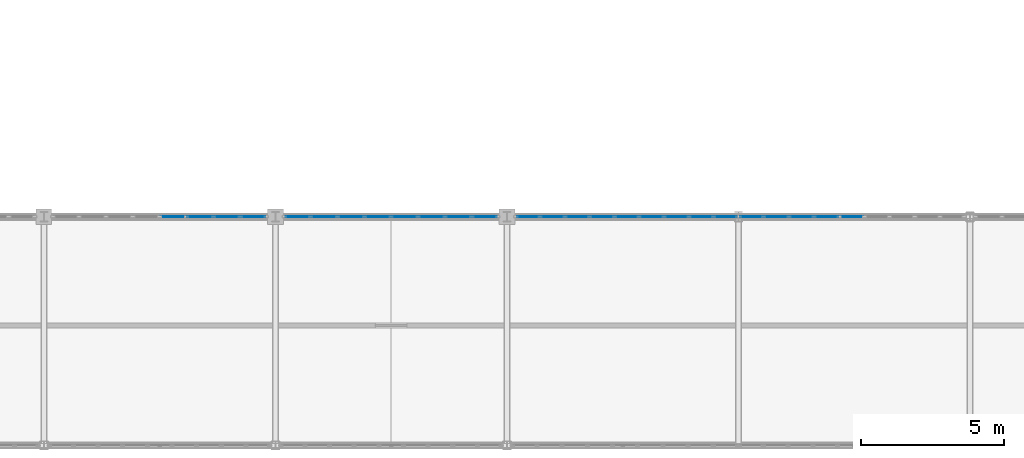
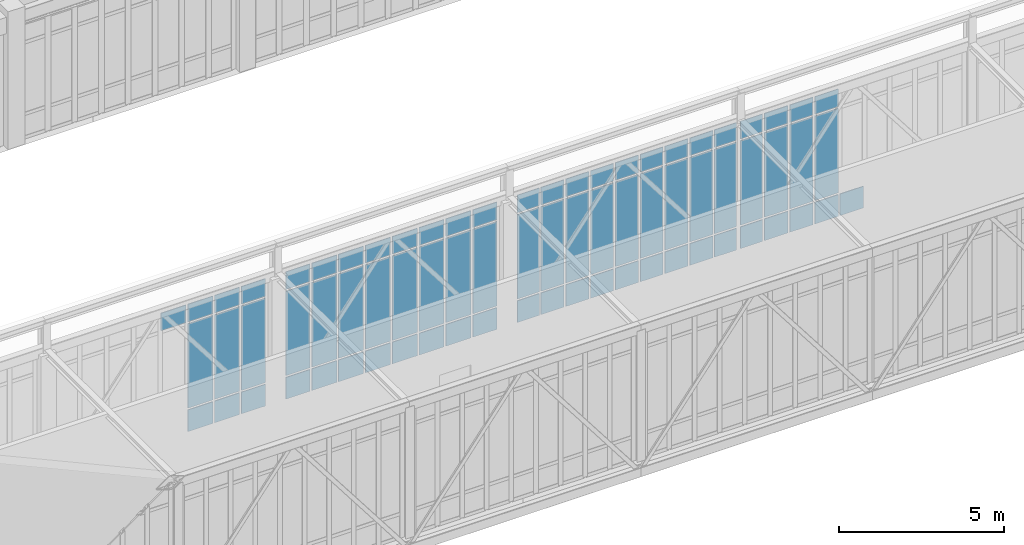
# One storey, part 77 of 107: 74 plates, 4 elements without a shape of their own.
"""IFC4 building model written with IfcOpenShell, lengths in metres."""

from ifc_helpers import new_model, si_unit, direction, frame, origin, origin_2d, place, context, subcontext, project, spatial, rectangle, extrude, material, layer, layer_set, type_object, element, aggregate, save


model = new_model("IFC4")

# Units and contexts
model_context = context("Model", 3, precision=1e-05, world=origin(), true_north=direction((0.0, 1.0)))
body_context = subcontext(model_context, "Body", "Model", "MODEL_VIEW")
ifc_project = project(units=[si_unit("LENGTHUNIT", "METRE"), si_unit("AREAUNIT", "SQUARE_METRE"), si_unit("VOLUMEUNIT", "CUBIC_METRE"), si_unit("PLANEANGLEUNIT", "RADIAN"), si_unit("MASSUNIT", "GRAM", prefix="KILO")], contexts=[model_context])

# Site, building, storey
site_placement = place(None, origin())
site = spatial("IfcSite", under=ifc_project, at=site_placement, CompositionType="ELEMENT")
building_placement = place(site_placement, origin())
building = spatial("IfcBuilding", under=site, at=building_placement, Name="Tarnveldt Square Police Headquarters", CompositionType="ELEMENT")
storey_placement = place(building_placement, frame((0.0, 0.0, 14.699951171875)))
storey = spatial("IfcBuildingStorey", under=building, at=storey_placement, Name="L03", CompositionType="ELEMENT", Elevation=14.699951171875)

# Curtain wall, plates
ifc_material = material(Name="Triple-glazed low-e laminated vision glass", Category="glass")
curtain_wall_type_1 = type_object("IfcCurtainWallType", Name="CW-SB-752x484", PredefinedType="USERDEFINED", material=ifc_material)
curtain_wall_1_placement = place(storey_placement, origin())
curtain_wall_1 = element("IfcCurtainWall", 1, at=curtain_wall_1_placement, inside=storey, type_object=curtain_wall_type_1, Name="L03 Curtain Wall CW-L03-161", ObjectType="GLAZED CURTAIN WALL", PredefinedType="USERDEFINED")
ifc_layer = layer(ifc_material, 0.028076171875)
ifc_layer_set = layer_set([ifc_layer], Name="Triple-glazed low-e laminated vision glass")
plate_type = type_object("IfcPlateType", Name="CWP-VIS-28", PredefinedType="CURTAIN_PANEL", material=ifc_layer_set)
plate_1_placement = place(storey_placement, frame((69.320068359375, 80.0, 4.12255859375), z_axis=(0.0, 0.0, 1.0), x_axis=(1.0, 0.0, 0.0)))
plate_1 = element("IfcPlate", 2, at=plate_1_placement, type_object=plate_type, Name="CW-SB95 panel 5.3", PredefinedType="CURTAIN_PANEL", context=body_context, shape_type="SweptSolid", body=[
    extrude(rectangle(XDim=0.875, YDim=0.028076171875, at=origin_2d()), origin(), (0.0, 0.0, 1.0), 0.652587890625),
])
plate_2_placement = place(storey_placement, frame((70.260009765625, 80.0, 0.06494140625), z_axis=(0.0, 0.0, 1.0), x_axis=(1.0, 0.0, 0.0)))
plate_2 = element("IfcPlate", 3, at=plate_2_placement, type_object=plate_type, Name="CW-SB95 panel 6.1", PredefinedType="CURTAIN_PANEL", context=body_context, shape_type="SweptSolid", body=[
    extrude(rectangle(XDim=0.875, YDim=0.028076171875, at=origin_2d()), origin(), (0.0, 0.0, 1.0), 0.802490234375),
])
plate_3_placement = place(storey_placement, frame((70.260009765625, 80.0, 0.9326171875), z_axis=(0.0, 0.0, 1.0), x_axis=(1.0, 0.0, 0.0)))
plate_3 = element("IfcPlate", 4, at=plate_3_placement, type_object=plate_type, Name="CW-SB95 panel 6.2", PredefinedType="CURTAIN_PANEL", context=body_context, shape_type="SweptSolid", body=[
    extrude(rectangle(XDim=0.875, YDim=0.028076171875, at=origin_2d()), origin(), (0.0, 0.0, 1.0), 3.125),
])
plate_4_placement = place(storey_placement, frame((70.260009765625, 80.0, 4.12255859375), z_axis=(0.0, 0.0, 1.0), x_axis=(1.0, 0.0, 0.0)))
plate_4 = element("IfcPlate", 5, at=plate_4_placement, type_object=plate_type, Name="CW-SB95 panel 6.3", PredefinedType="CURTAIN_PANEL", context=body_context, shape_type="SweptSolid", body=[
    extrude(rectangle(XDim=0.875, YDim=0.028076171875, at=origin_2d()), origin(), (0.0, 0.0, 1.0), 0.652587890625),
])
plate_5_placement = place(storey_placement, frame((71.199951171875, 80.0, 0.06494140625), z_axis=(0.0, 0.0, 1.0), x_axis=(1.0, 0.0, 0.0)))
plate_5 = element("IfcPlate", 6, at=plate_5_placement, type_object=plate_type, Name="CW-SB95 panel 7.1", PredefinedType="CURTAIN_PANEL", context=body_context, shape_type="SweptSolid", body=[
    extrude(rectangle(XDim=0.875, YDim=0.028076171875, at=origin_2d()), origin(), (0.0, 0.0, 1.0), 0.802490234375),
])
plate_6_placement = place(storey_placement, frame((71.199951171875, 80.0, 0.9326171875), z_axis=(0.0, 0.0, 1.0), x_axis=(1.0, 0.0, 0.0)))
plate_6 = element("IfcPlate", 7, at=plate_6_placement, type_object=plate_type, Name="CW-SB95 panel 7.2", PredefinedType="CURTAIN_PANEL", context=body_context, shape_type="SweptSolid", body=[
    extrude(rectangle(XDim=0.875, YDim=0.028076171875, at=origin_2d()), origin(), (0.0, 0.0, 1.0), 3.125),
])
plate_7_placement = place(storey_placement, frame((71.199951171875, 80.0, 4.12255859375), z_axis=(0.0, 0.0, 1.0), x_axis=(1.0, 0.0, 0.0)))
plate_7 = element("IfcPlate", 8, at=plate_7_placement, type_object=plate_type, Name="CW-SB95 panel 7.3", PredefinedType="CURTAIN_PANEL", context=body_context, shape_type="SweptSolid", body=[
    extrude(rectangle(XDim=0.875, YDim=0.028076171875, at=origin_2d()), origin(), (0.0, 0.0, 1.0), 0.652587890625),
])
plate_8_placement = place(storey_placement, frame((72.123779296875, 80.0, 0.06494140625), z_axis=(0.0, 0.0, 1.0), x_axis=(1.0, 0.0, 0.0)))
plate_8 = element("IfcPlate", 9, at=plate_8_placement, type_object=plate_type, Name="CW-SB95 panel 8.1", PredefinedType="CURTAIN_PANEL", context=body_context, shape_type="SweptSolid", body=[
    extrude(rectangle(XDim=0.842529296875, YDim=0.028076171875, at=origin_2d()), origin(), (0.0, 0.0, 1.0), 0.802490234375),
])
plate_9_placement = place(storey_placement, frame((72.123779296875, 80.0, 0.9326171875), z_axis=(0.0, 0.0, 1.0), x_axis=(1.0, 0.0, 0.0)))
plate_9 = element("IfcPlate", 10, at=plate_9_placement, type_object=plate_type, Name="CW-SB95 panel 8.2", PredefinedType="CURTAIN_PANEL", context=body_context, shape_type="SweptSolid", body=[
    extrude(rectangle(XDim=0.842529296875, YDim=0.028076171875, at=origin_2d()), origin(), (0.0, 0.0, 1.0), 3.125),
])
plate_10_placement = place(storey_placement, frame((72.123779296875, 80.0, 4.12255859375), z_axis=(0.0, 0.0, 1.0), x_axis=(1.0, 0.0, 0.0)))
plate_10 = element("IfcPlate", 11, at=plate_10_placement, type_object=plate_type, Name="CW-SB95 panel 8.3", PredefinedType="CURTAIN_PANEL", context=body_context, shape_type="SweptSolid", body=[
    extrude(rectangle(XDim=0.842529296875, YDim=0.028076171875, at=origin_2d()), origin(), (0.0, 0.0, 1.0), 0.652587890625),
])
aggregate(curtain_wall_1, [plate_1, plate_2, plate_3, plate_4, plate_5, plate_6, plate_7, plate_8, plate_9, plate_10])

curtain_wall_2_placement = place(storey_placement, origin())
curtain_wall_2 = element("IfcCurtainWall", 12, at=curtain_wall_2_placement, inside=storey, type_object=curtain_wall_type_1, Name="L03 Curtain Wall CW-L03-162", ObjectType="GLAZED CURTAIN WALL", PredefinedType="USERDEFINED")
plate_11_placement = place(storey_placement, frame((73.67626953125, 80.0, 0.06494140625), z_axis=(0.0, 0.0, 1.0), x_axis=(1.0, 0.0, 0.0)))
plate_11 = element("IfcPlate", 13, at=plate_11_placement, type_object=plate_type, Name="CW-SB95 panel 1.1", PredefinedType="CURTAIN_PANEL", context=body_context, shape_type="SweptSolid", body=[
    extrude(rectangle(XDim=0.842529296875, YDim=0.028076171875, at=origin_2d()), origin(), (0.0, 0.0, 1.0), 0.802490234375),
])
plate_12_placement = place(storey_placement, frame((73.67626953125, 80.0, 0.9326171875), z_axis=(0.0, 0.0, 1.0), x_axis=(1.0, 0.0, 0.0)))
plate_12 = element("IfcPlate", 14, at=plate_12_placement, type_object=plate_type, Name="CW-SB95 panel 1.2", PredefinedType="CURTAIN_PANEL", context=body_context, shape_type="SweptSolid", body=[
    extrude(rectangle(XDim=0.842529296875, YDim=0.028076171875, at=origin_2d()), origin(), (0.0, 0.0, 1.0), 3.125),
])
plate_13_placement = place(storey_placement, frame((73.67626953125, 80.0, 4.12255859375), z_axis=(0.0, 0.0, 1.0), x_axis=(1.0, 0.0, 0.0)))
plate_13 = element("IfcPlate", 15, at=plate_13_placement, type_object=plate_type, Name="CW-SB95 panel 1.3", PredefinedType="CURTAIN_PANEL", context=body_context, shape_type="SweptSolid", body=[
    extrude(rectangle(XDim=0.842529296875, YDim=0.028076171875, at=origin_2d()), origin(), (0.0, 0.0, 1.0), 0.652587890625),
])
plate_14_placement = place(storey_placement, frame((74.60009765625, 80.0, 0.06494140625), z_axis=(0.0, 0.0, 1.0), x_axis=(1.0, 0.0, 0.0)))
plate_14 = element("IfcPlate", 16, at=plate_14_placement, type_object=plate_type, Name="CW-SB95 panel 2.1", PredefinedType="CURTAIN_PANEL", context=body_context, shape_type="SweptSolid", body=[
    extrude(rectangle(XDim=0.875, YDim=0.028076171875, at=origin_2d()), origin(), (0.0, 0.0, 1.0), 0.802490234375),
])
plate_15_placement = place(storey_placement, frame((74.60009765625, 80.0, 0.9326171875), z_axis=(0.0, 0.0, 1.0), x_axis=(1.0, 0.0, 0.0)))
plate_15 = element("IfcPlate", 17, at=plate_15_placement, type_object=plate_type, Name="CW-SB95 panel 2.2", PredefinedType="CURTAIN_PANEL", context=body_context, shape_type="SweptSolid", body=[
    extrude(rectangle(XDim=0.875, YDim=0.028076171875, at=origin_2d()), origin(), (0.0, 0.0, 1.0), 3.125),
])
plate_16_placement = place(storey_placement, frame((74.60009765625, 80.0, 4.12255859375), z_axis=(0.0, 0.0, 1.0), x_axis=(1.0, 0.0, 0.0)))
plate_16 = element("IfcPlate", 18, at=plate_16_placement, type_object=plate_type, Name="CW-SB95 panel 2.3", PredefinedType="CURTAIN_PANEL", context=body_context, shape_type="SweptSolid", body=[
    extrude(rectangle(XDim=0.875, YDim=0.028076171875, at=origin_2d()), origin(), (0.0, 0.0, 1.0), 0.652587890625),
])
plate_17_placement = place(storey_placement, frame((75.5400390625, 80.0, 0.06494140625), z_axis=(0.0, 0.0, 1.0), x_axis=(1.0, 0.0, 0.0)))
plate_17 = element("IfcPlate", 19, at=plate_17_placement, type_object=plate_type, Name="CW-SB95 panel 3.1", PredefinedType="CURTAIN_PANEL", context=body_context, shape_type="SweptSolid", body=[
    extrude(rectangle(XDim=0.875, YDim=0.028076171875, at=origin_2d()), origin(), (0.0, 0.0, 1.0), 0.802490234375),
])
plate_18_placement = place(storey_placement, frame((75.5400390625, 80.0, 0.9326171875), z_axis=(0.0, 0.0, 1.0), x_axis=(1.0, 0.0, 0.0)))
plate_18 = element("IfcPlate", 20, at=plate_18_placement, type_object=plate_type, Name="CW-SB95 panel 3.2", PredefinedType="CURTAIN_PANEL", context=body_context, shape_type="SweptSolid", body=[
    extrude(rectangle(XDim=0.875, YDim=0.028076171875, at=origin_2d()), origin(), (0.0, 0.0, 1.0), 3.125),
])
plate_19_placement = place(storey_placement, frame((75.5400390625, 80.0, 4.12255859375), z_axis=(0.0, 0.0, 1.0), x_axis=(1.0, 0.0, 0.0)))
plate_19 = element("IfcPlate", 21, at=plate_19_placement, type_object=plate_type, Name="CW-SB95 panel 3.3", PredefinedType="CURTAIN_PANEL", context=body_context, shape_type="SweptSolid", body=[
    extrude(rectangle(XDim=0.875, YDim=0.028076171875, at=origin_2d()), origin(), (0.0, 0.0, 1.0), 0.652587890625),
])
plate_20_placement = place(storey_placement, frame((76.47998046875, 80.0, 0.06494140625), z_axis=(0.0, 0.0, 1.0), x_axis=(1.0, 0.0, 0.0)))
plate_20 = element("IfcPlate", 22, at=plate_20_placement, type_object=plate_type, Name="CW-SB95 panel 4.1", PredefinedType="CURTAIN_PANEL", context=body_context, shape_type="SweptSolid", body=[
    extrude(rectangle(XDim=0.875, YDim=0.028076171875, at=origin_2d()), origin(), (0.0, 0.0, 1.0), 0.802490234375),
])
plate_21_placement = place(storey_placement, frame((76.47998046875, 80.0, 0.9326171875), z_axis=(0.0, 0.0, 1.0), x_axis=(1.0, 0.0, 0.0)))
plate_21 = element("IfcPlate", 23, at=plate_21_placement, type_object=plate_type, Name="CW-SB95 panel 4.2", PredefinedType="CURTAIN_PANEL", context=body_context, shape_type="SweptSolid", body=[
    extrude(rectangle(XDim=0.875, YDim=0.028076171875, at=origin_2d()), origin(), (0.0, 0.0, 1.0), 3.125),
])
plate_22_placement = place(storey_placement, frame((76.47998046875, 80.0, 4.12255859375), z_axis=(0.0, 0.0, 1.0), x_axis=(1.0, 0.0, 0.0)))
plate_22 = element("IfcPlate", 24, at=plate_22_placement, type_object=plate_type, Name="CW-SB95 panel 4.3", PredefinedType="CURTAIN_PANEL", context=body_context, shape_type="SweptSolid", body=[
    extrude(rectangle(XDim=0.875, YDim=0.028076171875, at=origin_2d()), origin(), (0.0, 0.0, 1.0), 0.652587890625),
])
plate_23_placement = place(storey_placement, frame((77.419921875, 80.0, 0.06494140625), z_axis=(0.0, 0.0, 1.0), x_axis=(1.0, 0.0, 0.0)))
plate_23 = element("IfcPlate", 25, at=plate_23_placement, type_object=plate_type, Name="CW-SB95 panel 5.1", PredefinedType="CURTAIN_PANEL", context=body_context, shape_type="SweptSolid", body=[
    extrude(rectangle(XDim=0.875, YDim=0.028076171875, at=origin_2d()), origin(), (0.0, 0.0, 1.0), 0.802490234375),
])
plate_24_placement = place(storey_placement, frame((77.419921875, 80.0, 0.9326171875), z_axis=(0.0, 0.0, 1.0), x_axis=(1.0, 0.0, 0.0)))
plate_24 = element("IfcPlate", 26, at=plate_24_placement, type_object=plate_type, Name="CW-SB95 panel 5.2", PredefinedType="CURTAIN_PANEL", context=body_context, shape_type="SweptSolid", body=[
    extrude(rectangle(XDim=0.875, YDim=0.028076171875, at=origin_2d()), origin(), (0.0, 0.0, 1.0), 3.125),
])
plate_25_placement = place(storey_placement, frame((77.419921875, 80.0, 4.12255859375), z_axis=(0.0, 0.0, 1.0), x_axis=(1.0, 0.0, 0.0)))
plate_25 = element("IfcPlate", 27, at=plate_25_placement, type_object=plate_type, Name="CW-SB95 panel 5.3", PredefinedType="CURTAIN_PANEL", context=body_context, shape_type="SweptSolid", body=[
    extrude(rectangle(XDim=0.875, YDim=0.028076171875, at=origin_2d()), origin(), (0.0, 0.0, 1.0), 0.652587890625),
])
plate_26_placement = place(storey_placement, frame((78.360107421875, 80.0, 0.06494140625), z_axis=(0.0, 0.0, 1.0), x_axis=(1.0, 0.0, 0.0)))
plate_26 = element("IfcPlate", 28, at=plate_26_placement, type_object=plate_type, Name="CW-SB95 panel 6.1", PredefinedType="CURTAIN_PANEL", context=body_context, shape_type="SweptSolid", body=[
    extrude(rectangle(XDim=0.875, YDim=0.028076171875, at=origin_2d()), origin(), (0.0, 0.0, 1.0), 0.802490234375),
])
plate_27_placement = place(storey_placement, frame((78.360107421875, 80.0, 0.9326171875), z_axis=(0.0, 0.0, 1.0), x_axis=(1.0, 0.0, 0.0)))
plate_27 = element("IfcPlate", 29, at=plate_27_placement, type_object=plate_type, Name="CW-SB95 panel 6.2", PredefinedType="CURTAIN_PANEL", context=body_context, shape_type="SweptSolid", body=[
    extrude(rectangle(XDim=0.875, YDim=0.028076171875, at=origin_2d()), origin(), (0.0, 0.0, 1.0), 3.125),
])
plate_28_placement = place(storey_placement, frame((78.360107421875, 80.0, 4.12255859375), z_axis=(0.0, 0.0, 1.0), x_axis=(1.0, 0.0, 0.0)))
plate_28 = element("IfcPlate", 30, at=plate_28_placement, type_object=plate_type, Name="CW-SB95 panel 6.3", PredefinedType="CURTAIN_PANEL", context=body_context, shape_type="SweptSolid", body=[
    extrude(rectangle(XDim=0.875, YDim=0.028076171875, at=origin_2d()), origin(), (0.0, 0.0, 1.0), 0.652587890625),
])
plate_29_placement = place(storey_placement, frame((79.300048828125, 80.0, 0.06494140625), z_axis=(0.0, 0.0, 1.0), x_axis=(1.0, 0.0, 0.0)))
plate_29 = element("IfcPlate", 31, at=plate_29_placement, type_object=plate_type, Name="CW-SB95 panel 7.1", PredefinedType="CURTAIN_PANEL", context=body_context, shape_type="SweptSolid", body=[
    extrude(rectangle(XDim=0.875, YDim=0.028076171875, at=origin_2d()), origin(), (0.0, 0.0, 1.0), 0.802490234375),
])
plate_30_placement = place(storey_placement, frame((79.300048828125, 80.0, 0.9326171875), z_axis=(0.0, 0.0, 1.0), x_axis=(1.0, 0.0, 0.0)))
plate_30 = element("IfcPlate", 32, at=plate_30_placement, type_object=plate_type, Name="CW-SB95 panel 7.2", PredefinedType="CURTAIN_PANEL", context=body_context, shape_type="SweptSolid", body=[
    extrude(rectangle(XDim=0.875, YDim=0.028076171875, at=origin_2d()), origin(), (0.0, 0.0, 1.0), 3.125),
])
plate_31_placement = place(storey_placement, frame((79.300048828125, 80.0, 4.12255859375), z_axis=(0.0, 0.0, 1.0), x_axis=(1.0, 0.0, 0.0)))
plate_31 = element("IfcPlate", 33, at=plate_31_placement, type_object=plate_type, Name="CW-SB95 panel 7.3", PredefinedType="CURTAIN_PANEL", context=body_context, shape_type="SweptSolid", body=[
    extrude(rectangle(XDim=0.875, YDim=0.028076171875, at=origin_2d()), origin(), (0.0, 0.0, 1.0), 0.652587890625),
])
plate_32_placement = place(storey_placement, frame((80.2236328125, 80.0, 0.06494140625), z_axis=(0.0, 0.0, 1.0), x_axis=(1.0, 0.0, 0.0)))
plate_32 = element("IfcPlate", 34, at=plate_32_placement, type_object=plate_type, Name="CW-SB95 panel 8.1", PredefinedType="CURTAIN_PANEL", context=body_context, shape_type="SweptSolid", body=[
    extrude(rectangle(XDim=0.842529296875, YDim=0.028076171875, at=origin_2d()), origin(), (0.0, 0.0, 1.0), 0.802490234375),
])
plate_33_placement = place(storey_placement, frame((80.2236328125, 80.0, 0.9326171875), z_axis=(0.0, 0.0, 1.0), x_axis=(1.0, 0.0, 0.0)))
plate_33 = element("IfcPlate", 35, at=plate_33_placement, type_object=plate_type, Name="CW-SB95 panel 8.2", PredefinedType="CURTAIN_PANEL", context=body_context, shape_type="SweptSolid", body=[
    extrude(rectangle(XDim=0.842529296875, YDim=0.028076171875, at=origin_2d()), origin(), (0.0, 0.0, 1.0), 3.125),
])
plate_34_placement = place(storey_placement, frame((80.2236328125, 80.0, 4.12255859375), z_axis=(0.0, 0.0, 1.0), x_axis=(1.0, 0.0, 0.0)))
plate_34 = element("IfcPlate", 36, at=plate_34_placement, type_object=plate_type, Name="CW-SB95 panel 8.3", PredefinedType="CURTAIN_PANEL", context=body_context, shape_type="SweptSolid", body=[
    extrude(rectangle(XDim=0.842529296875, YDim=0.028076171875, at=origin_2d()), origin(), (0.0, 0.0, 1.0), 0.652587890625),
])
aggregate(curtain_wall_2, [plate_11, plate_12, plate_13, plate_14, plate_15, plate_16, plate_17, plate_18, plate_19, plate_20, plate_21, plate_22, plate_23, plate_24, plate_25, plate_26, plate_27, plate_28, plate_29, plate_30, plate_31, plate_32, plate_33, plate_34])

curtain_wall_type_2 = type_object("IfcCurtainWallType", Name="CW-SB-781x484", PredefinedType="USERDEFINED", material=ifc_material)
curtain_wall_3_placement = place(storey_placement, origin())
curtain_wall_3 = element("IfcCurtainWall", 37, at=curtain_wall_3_placement, inside=storey, type_object=curtain_wall_type_2, Name="L03 Curtain Wall CW-L03-163", ObjectType="GLAZED CURTAIN WALL", PredefinedType="USERDEFINED")
plate_35_placement = place(storey_placement, frame((81.740234375, 80.0, 0.06494140625), z_axis=(0.0, 0.0, 1.0), x_axis=(1.0, 0.0, 0.0)))
plate_35 = element("IfcPlate", 38, at=plate_35_placement, type_object=plate_type, Name="CW-SB92 panel 1.1", PredefinedType="CURTAIN_PANEL", context=body_context, shape_type="SweptSolid", body=[
    extrude(rectangle(XDim=0.770263671875, YDim=0.028076171875, at=origin_2d()), origin(), (0.0, 0.0, 1.0), 0.802490234375),
])
plate_36_placement = place(storey_placement, frame((81.740234375, 80.0, 0.9326171875), z_axis=(0.0, 0.0, 1.0), x_axis=(1.0, 0.0, 0.0)))
plate_36 = element("IfcPlate", 39, at=plate_36_placement, type_object=plate_type, Name="CW-SB92 panel 1.2", PredefinedType="CURTAIN_PANEL", context=body_context, shape_type="SweptSolid", body=[
    extrude(rectangle(XDim=0.770263671875, YDim=0.028076171875, at=origin_2d()), origin(), (0.0, 0.0, 1.0), 3.125),
])
plate_37_placement = place(storey_placement, frame((81.740234375, 80.0, 4.12255859375), z_axis=(0.0, 0.0, 1.0), x_axis=(1.0, 0.0, 0.0)))
plate_37 = element("IfcPlate", 40, at=plate_37_placement, type_object=plate_type, Name="CW-SB92 panel 1.3", PredefinedType="CURTAIN_PANEL", context=body_context, shape_type="SweptSolid", body=[
    extrude(rectangle(XDim=0.770263671875, YDim=0.028076171875, at=origin_2d()), origin(), (0.0, 0.0, 1.0), 0.652587890625),
])
plate_38_placement = place(storey_placement, frame((82.591552734375, 80.0, 0.06494140625), z_axis=(0.0, 0.0, 1.0), x_axis=(1.0, 0.0, 0.0)))
plate_38 = element("IfcPlate", 41, at=plate_38_placement, type_object=plate_type, Name="CW-SB92 panel 2.1", PredefinedType="CURTAIN_PANEL", context=body_context, shape_type="SweptSolid", body=[
    extrude(rectangle(XDim=0.802734375, YDim=0.028076171875, at=origin_2d()), origin(), (0.0, 0.0, 1.0), 0.802490234375),
])
plate_39_placement = place(storey_placement, frame((82.591552734375, 80.0, 0.9326171875), z_axis=(0.0, 0.0, 1.0), x_axis=(1.0, 0.0, 0.0)))
plate_39 = element("IfcPlate", 42, at=plate_39_placement, type_object=plate_type, Name="CW-SB92 panel 2.2", PredefinedType="CURTAIN_PANEL", context=body_context, shape_type="SweptSolid", body=[
    extrude(rectangle(XDim=0.802734375, YDim=0.028076171875, at=origin_2d()), origin(), (0.0, 0.0, 1.0), 3.125),
])
plate_40_placement = place(storey_placement, frame((82.591552734375, 80.0, 4.12255859375), z_axis=(0.0, 0.0, 1.0), x_axis=(1.0, 0.0, 0.0)))
plate_40 = element("IfcPlate", 43, at=plate_40_placement, type_object=plate_type, Name="CW-SB92 panel 2.3", PredefinedType="CURTAIN_PANEL", context=body_context, shape_type="SweptSolid", body=[
    extrude(rectangle(XDim=0.802734375, YDim=0.028076171875, at=origin_2d()), origin(), (0.0, 0.0, 1.0), 0.652587890625),
])
plate_41_placement = place(storey_placement, frame((83.45947265625, 80.0, 0.06494140625), z_axis=(0.0, 0.0, 1.0), x_axis=(1.0, 0.0, 0.0)))
plate_41 = element("IfcPlate", 44, at=plate_41_placement, type_object=plate_type, Name="CW-SB92 panel 3.1", PredefinedType="CURTAIN_PANEL", context=body_context, shape_type="SweptSolid", body=[
    extrude(rectangle(XDim=0.802734375, YDim=0.028076171875, at=origin_2d()), origin(), (0.0, 0.0, 1.0), 0.802490234375),
])
plate_42_placement = place(storey_placement, frame((83.45947265625, 80.0, 0.9326171875), z_axis=(0.0, 0.0, 1.0), x_axis=(1.0, 0.0, 0.0)))
plate_42 = element("IfcPlate", 45, at=plate_42_placement, type_object=plate_type, Name="CW-SB92 panel 3.2", PredefinedType="CURTAIN_PANEL", context=body_context, shape_type="SweptSolid", body=[
    extrude(rectangle(XDim=0.802734375, YDim=0.028076171875, at=origin_2d()), origin(), (0.0, 0.0, 1.0), 3.125),
])
plate_43_placement = place(storey_placement, frame((83.45947265625, 80.0, 4.12255859375), z_axis=(0.0, 0.0, 1.0), x_axis=(1.0, 0.0, 0.0)))
plate_43 = element("IfcPlate", 46, at=plate_43_placement, type_object=plate_type, Name="CW-SB92 panel 3.3", PredefinedType="CURTAIN_PANEL", context=body_context, shape_type="SweptSolid", body=[
    extrude(rectangle(XDim=0.802734375, YDim=0.028076171875, at=origin_2d()), origin(), (0.0, 0.0, 1.0), 0.652587890625),
])
plate_44_placement = place(storey_placement, frame((84.3271484375, 80.0, 0.06494140625), z_axis=(0.0, 0.0, 1.0), x_axis=(1.0, 0.0, 0.0)))
plate_44 = element("IfcPlate", 47, at=plate_44_placement, type_object=plate_type, Name="CW-SB92 panel 4.1", PredefinedType="CURTAIN_PANEL", context=body_context, shape_type="SweptSolid", body=[
    extrude(rectangle(XDim=0.802734375, YDim=0.028076171875, at=origin_2d()), origin(), (0.0, 0.0, 1.0), 0.802490234375),
])
plate_45_placement = place(storey_placement, frame((84.3271484375, 80.0, 0.9326171875), z_axis=(0.0, 0.0, 1.0), x_axis=(1.0, 0.0, 0.0)))
plate_45 = element("IfcPlate", 48, at=plate_45_placement, type_object=plate_type, Name="CW-SB92 panel 4.2", PredefinedType="CURTAIN_PANEL", context=body_context, shape_type="SweptSolid", body=[
    extrude(rectangle(XDim=0.802734375, YDim=0.028076171875, at=origin_2d()), origin(), (0.0, 0.0, 1.0), 3.125),
])
plate_46_placement = place(storey_placement, frame((84.3271484375, 80.0, 4.12255859375), z_axis=(0.0, 0.0, 1.0), x_axis=(1.0, 0.0, 0.0)))
plate_46 = element("IfcPlate", 49, at=plate_46_placement, type_object=plate_type, Name="CW-SB92 panel 4.3", PredefinedType="CURTAIN_PANEL", context=body_context, shape_type="SweptSolid", body=[
    extrude(rectangle(XDim=0.802734375, YDim=0.028076171875, at=origin_2d()), origin(), (0.0, 0.0, 1.0), 0.652587890625),
])
plate_47_placement = place(storey_placement, frame((85.195068359375, 80.0, 0.06494140625), z_axis=(0.0, 0.0, 1.0), x_axis=(1.0, 0.0, 0.0)))
plate_47 = element("IfcPlate", 50, at=plate_47_placement, type_object=plate_type, Name="CW-SB92 panel 5.1", PredefinedType="CURTAIN_PANEL", context=body_context, shape_type="SweptSolid", body=[
    extrude(rectangle(XDim=0.802734375, YDim=0.028076171875, at=origin_2d()), origin(), (0.0, 0.0, 1.0), 0.802490234375),
])
plate_48_placement = place(storey_placement, frame((85.195068359375, 80.0, 0.9326171875), z_axis=(0.0, 0.0, 1.0), x_axis=(1.0, 0.0, 0.0)))
plate_48 = element("IfcPlate", 51, at=plate_48_placement, type_object=plate_type, Name="CW-SB92 panel 5.2", PredefinedType="CURTAIN_PANEL", context=body_context, shape_type="SweptSolid", body=[
    extrude(rectangle(XDim=0.802734375, YDim=0.028076171875, at=origin_2d()), origin(), (0.0, 0.0, 1.0), 3.125),
])
plate_49_placement = place(storey_placement, frame((85.195068359375, 80.0, 4.12255859375), z_axis=(0.0, 0.0, 1.0), x_axis=(1.0, 0.0, 0.0)))
plate_49 = element("IfcPlate", 52, at=plate_49_placement, type_object=plate_type, Name="CW-SB92 panel 5.3", PredefinedType="CURTAIN_PANEL", context=body_context, shape_type="SweptSolid", body=[
    extrude(rectangle(XDim=0.802734375, YDim=0.028076171875, at=origin_2d()), origin(), (0.0, 0.0, 1.0), 0.652587890625),
])
plate_50_placement = place(storey_placement, frame((86.062744140625, 80.0, 0.06494140625), z_axis=(0.0, 0.0, 1.0), x_axis=(1.0, 0.0, 0.0)))
plate_50 = element("IfcPlate", 53, at=plate_50_placement, type_object=plate_type, Name="CW-SB92 panel 6.1", PredefinedType="CURTAIN_PANEL", context=body_context, shape_type="SweptSolid", body=[
    extrude(rectangle(XDim=0.802734375, YDim=0.028076171875, at=origin_2d()), origin(), (0.0, 0.0, 1.0), 0.802490234375),
])
plate_51_placement = place(storey_placement, frame((86.062744140625, 80.0, 0.9326171875), z_axis=(0.0, 0.0, 1.0), x_axis=(1.0, 0.0, 0.0)))
plate_51 = element("IfcPlate", 54, at=plate_51_placement, type_object=plate_type, Name="CW-SB92 panel 6.2", PredefinedType="CURTAIN_PANEL", context=body_context, shape_type="SweptSolid", body=[
    extrude(rectangle(XDim=0.802734375, YDim=0.028076171875, at=origin_2d()), origin(), (0.0, 0.0, 1.0), 3.125),
])
plate_52_placement = place(storey_placement, frame((86.062744140625, 80.0, 4.12255859375), z_axis=(0.0, 0.0, 1.0), x_axis=(1.0, 0.0, 0.0)))
plate_52 = element("IfcPlate", 55, at=plate_52_placement, type_object=plate_type, Name="CW-SB92 panel 6.3", PredefinedType="CURTAIN_PANEL", context=body_context, shape_type="SweptSolid", body=[
    extrude(rectangle(XDim=0.802734375, YDim=0.028076171875, at=origin_2d()), origin(), (0.0, 0.0, 1.0), 0.652587890625),
])
plate_53_placement = place(storey_placement, frame((86.9306640625, 80.0, 0.06494140625), z_axis=(0.0, 0.0, 1.0), x_axis=(1.0, 0.0, 0.0)))
plate_53 = element("IfcPlate", 56, at=plate_53_placement, type_object=plate_type, Name="CW-SB92 panel 7.1", PredefinedType="CURTAIN_PANEL", context=body_context, shape_type="SweptSolid", body=[
    extrude(rectangle(XDim=0.802734375, YDim=0.028076171875, at=origin_2d()), origin(), (0.0, 0.0, 1.0), 0.802490234375),
])
plate_54_placement = place(storey_placement, frame((86.9306640625, 80.0, 0.9326171875), z_axis=(0.0, 0.0, 1.0), x_axis=(1.0, 0.0, 0.0)))
plate_54 = element("IfcPlate", 57, at=plate_54_placement, type_object=plate_type, Name="CW-SB92 panel 7.2", PredefinedType="CURTAIN_PANEL", context=body_context, shape_type="SweptSolid", body=[
    extrude(rectangle(XDim=0.802734375, YDim=0.028076171875, at=origin_2d()), origin(), (0.0, 0.0, 1.0), 3.125),
])
plate_55_placement = place(storey_placement, frame((86.9306640625, 80.0, 4.12255859375), z_axis=(0.0, 0.0, 1.0), x_axis=(1.0, 0.0, 0.0)))
plate_55 = element("IfcPlate", 58, at=plate_55_placement, type_object=plate_type, Name="CW-SB92 panel 7.3", PredefinedType="CURTAIN_PANEL", context=body_context, shape_type="SweptSolid", body=[
    extrude(rectangle(XDim=0.802734375, YDim=0.028076171875, at=origin_2d()), origin(), (0.0, 0.0, 1.0), 0.652587890625),
])
plate_56_placement = place(storey_placement, frame((87.79833984375, 80.0, 0.06494140625), z_axis=(0.0, 0.0, 1.0), x_axis=(1.0, 0.0, 0.0)))
plate_56 = element("IfcPlate", 59, at=plate_56_placement, type_object=plate_type, Name="CW-SB92 panel 8.1", PredefinedType="CURTAIN_PANEL", context=body_context, shape_type="SweptSolid", body=[
    extrude(rectangle(XDim=0.802734375, YDim=0.028076171875, at=origin_2d()), origin(), (0.0, 0.0, 1.0), 0.802490234375),
])
plate_57_placement = place(storey_placement, frame((87.79833984375, 80.0, 0.9326171875), z_axis=(0.0, 0.0, 1.0), x_axis=(1.0, 0.0, 0.0)))
plate_57 = element("IfcPlate", 60, at=plate_57_placement, type_object=plate_type, Name="CW-SB92 panel 8.2", PredefinedType="CURTAIN_PANEL", context=body_context, shape_type="SweptSolid", body=[
    extrude(rectangle(XDim=0.802734375, YDim=0.028076171875, at=origin_2d()), origin(), (0.0, 0.0, 1.0), 3.125),
])
plate_58_placement = place(storey_placement, frame((87.79833984375, 80.0, 4.12255859375), z_axis=(0.0, 0.0, 1.0), x_axis=(1.0, 0.0, 0.0)))
plate_58 = element("IfcPlate", 61, at=plate_58_placement, type_object=plate_type, Name="CW-SB92 panel 8.3", PredefinedType="CURTAIN_PANEL", context=body_context, shape_type="SweptSolid", body=[
    extrude(rectangle(XDim=0.802734375, YDim=0.028076171875, at=origin_2d()), origin(), (0.0, 0.0, 1.0), 0.652587890625),
])
plate_59_placement = place(storey_placement, frame((88.64990234375, 80.0, 0.06494140625), z_axis=(0.0, 0.0, 1.0), x_axis=(1.0, 0.0, 0.0)))
plate_59 = element("IfcPlate", 62, at=plate_59_placement, type_object=plate_type, Name="CW-SB92 panel 9.1", PredefinedType="CURTAIN_PANEL", context=body_context, shape_type="SweptSolid", body=[
    extrude(rectangle(XDim=0.770263671875, YDim=0.028076171875, at=origin_2d()), origin(), (0.0, 0.0, 1.0), 0.802490234375),
])
plate_60_placement = place(storey_placement, frame((88.64990234375, 80.0, 0.9326171875), z_axis=(0.0, 0.0, 1.0), x_axis=(1.0, 0.0, 0.0)))
plate_60 = element("IfcPlate", 63, at=plate_60_placement, type_object=plate_type, Name="CW-SB92 panel 9.2", PredefinedType="CURTAIN_PANEL", context=body_context, shape_type="SweptSolid", body=[
    extrude(rectangle(XDim=0.770263671875, YDim=0.028076171875, at=origin_2d()), origin(), (0.0, 0.0, 1.0), 3.125),
])
plate_61_placement = place(storey_placement, frame((88.64990234375, 80.0, 4.12255859375), z_axis=(0.0, 0.0, 1.0), x_axis=(1.0, 0.0, 0.0)))
plate_61 = element("IfcPlate", 64, at=plate_61_placement, type_object=plate_type, Name="CW-SB92 panel 9.3", PredefinedType="CURTAIN_PANEL", context=body_context, shape_type="SweptSolid", body=[
    extrude(rectangle(XDim=0.770263671875, YDim=0.028076171875, at=origin_2d()), origin(), (0.0, 0.0, 1.0), 0.652587890625),
])
aggregate(curtain_wall_3, [plate_35, plate_36, plate_37, plate_38, plate_39, plate_40, plate_41, plate_42, plate_43, plate_44, plate_45, plate_46, plate_47, plate_48, plate_49, plate_50, plate_51, plate_52, plate_53, plate_54, plate_55, plate_56, plate_57, plate_58, plate_59, plate_60, plate_61])

curtain_wall_type_3 = type_object("IfcCurtainWallType", Name="CW-SB-793x484", PredefinedType="USERDEFINED", material=ifc_material)
curtain_wall_4_placement = place(storey_placement, origin())
curtain_wall_4 = element("IfcCurtainWall", 65, at=curtain_wall_4_placement, inside=storey, type_object=curtain_wall_type_3, Name="L03 Curtain Wall CW-L03-164", ObjectType="GLAZED CURTAIN WALL", PredefinedType="USERDEFINED")
plate_62_placement = place(storey_placement, frame((89.556884765625, 80.0, 0.06494140625), z_axis=(0.0, 0.0, 1.0), x_axis=(1.0, 0.0, 0.0)))
plate_62 = element("IfcPlate", 66, at=plate_62_placement, type_object=plate_type, Name="CW-SB91 panel 1.1", PredefinedType="CURTAIN_PANEL", context=body_context, shape_type="SweptSolid", body=[
    extrude(rectangle(XDim=0.78369140625, YDim=0.028076171875, at=origin_2d()), origin(), (0.0, 0.0, 1.0), 0.802490234375),
])
plate_63_placement = place(storey_placement, frame((89.556884765625, 80.0, 0.9326171875), z_axis=(0.0, 0.0, 1.0), x_axis=(1.0, 0.0, 0.0)))
plate_63 = element("IfcPlate", 67, at=plate_63_placement, type_object=plate_type, Name="CW-SB91 panel 1.2", PredefinedType="CURTAIN_PANEL", context=body_context, shape_type="SweptSolid", body=[
    extrude(rectangle(XDim=0.78369140625, YDim=0.028076171875, at=origin_2d()), origin(), (0.0, 0.0, 1.0), 3.125),
])
plate_64_placement = place(storey_placement, frame((89.556884765625, 80.0, 4.12255859375), z_axis=(0.0, 0.0, 1.0), x_axis=(1.0, 0.0, 0.0)))
plate_64 = element("IfcPlate", 68, at=plate_64_placement, type_object=plate_type, Name="CW-SB91 panel 1.3", PredefinedType="CURTAIN_PANEL", context=body_context, shape_type="SweptSolid", body=[
    extrude(rectangle(XDim=0.78369140625, YDim=0.028076171875, at=origin_2d()), origin(), (0.0, 0.0, 1.0), 0.652587890625),
])
plate_65_placement = place(storey_placement, frame((90.421875, 80.0, 0.06494140625), z_axis=(0.0, 0.0, 1.0), x_axis=(1.0, 0.0, 0.0)))
plate_65 = element("IfcPlate", 69, at=plate_65_placement, type_object=plate_type, Name="CW-SB91 panel 2.1", PredefinedType="CURTAIN_PANEL", context=body_context, shape_type="SweptSolid", body=[
    extrude(rectangle(XDim=0.816162109375, YDim=0.028076171875, at=origin_2d()), origin(), (0.0, 0.0, 1.0), 0.802490234375),
])
plate_66_placement = place(storey_placement, frame((90.421875, 80.0, 0.9326171875), z_axis=(0.0, 0.0, 1.0), x_axis=(1.0, 0.0, 0.0)))
plate_66 = element("IfcPlate", 70, at=plate_66_placement, type_object=plate_type, Name="CW-SB91 panel 2.2", PredefinedType="CURTAIN_PANEL", context=body_context, shape_type="SweptSolid", body=[
    extrude(rectangle(XDim=0.816162109375, YDim=0.028076171875, at=origin_2d()), origin(), (0.0, 0.0, 1.0), 3.125),
])
plate_67_placement = place(storey_placement, frame((90.421875, 80.0, 4.12255859375), z_axis=(0.0, 0.0, 1.0), x_axis=(1.0, 0.0, 0.0)))
plate_67 = element("IfcPlate", 71, at=plate_67_placement, type_object=plate_type, Name="CW-SB91 panel 2.3", PredefinedType="CURTAIN_PANEL", context=body_context, shape_type="SweptSolid", body=[
    extrude(rectangle(XDim=0.816162109375, YDim=0.028076171875, at=origin_2d()), origin(), (0.0, 0.0, 1.0), 0.652587890625),
])
plate_68_placement = place(storey_placement, frame((91.302978515625, 80.0, 0.06494140625), z_axis=(0.0, 0.0, 1.0), x_axis=(1.0, 0.0, 0.0)))
plate_68 = element("IfcPlate", 72, at=plate_68_placement, type_object=plate_type, Name="CW-SB91 panel 3.1", PredefinedType="CURTAIN_PANEL", context=body_context, shape_type="SweptSolid", body=[
    extrude(rectangle(XDim=0.816162109375, YDim=0.028076171875, at=origin_2d()), origin(), (0.0, 0.0, 1.0), 0.802490234375),
])
plate_69_placement = place(storey_placement, frame((91.302978515625, 80.0, 0.9326171875), z_axis=(0.0, 0.0, 1.0), x_axis=(1.0, 0.0, 0.0)))
plate_69 = element("IfcPlate", 73, at=plate_69_placement, type_object=plate_type, Name="CW-SB91 panel 3.2", PredefinedType="CURTAIN_PANEL", context=body_context, shape_type="SweptSolid", body=[
    extrude(rectangle(XDim=0.816162109375, YDim=0.028076171875, at=origin_2d()), origin(), (0.0, 0.0, 1.0), 3.125),
])
plate_70_placement = place(storey_placement, frame((91.302978515625, 80.0, 4.12255859375), z_axis=(0.0, 0.0, 1.0), x_axis=(1.0, 0.0, 0.0)))
plate_70 = element("IfcPlate", 74, at=plate_70_placement, type_object=plate_type, Name="CW-SB91 panel 3.3", PredefinedType="CURTAIN_PANEL", context=body_context, shape_type="SweptSolid", body=[
    extrude(rectangle(XDim=0.816162109375, YDim=0.028076171875, at=origin_2d()), origin(), (0.0, 0.0, 1.0), 0.652587890625),
])
plate_71_placement = place(storey_placement, frame((92.184326171875, 80.0, 0.06494140625), z_axis=(0.0, 0.0, 1.0), x_axis=(1.0, 0.0, 0.0)))
plate_71 = element("IfcPlate", 75, at=plate_71_placement, type_object=plate_type, Name="CW-SB91 panel 4.1", PredefinedType="CURTAIN_PANEL", context=body_context, shape_type="SweptSolid", body=[
    extrude(rectangle(XDim=0.816162109375, YDim=0.028076171875, at=origin_2d()), origin(), (0.0, 0.0, 1.0), 0.802490234375),
])
plate_72_placement = place(storey_placement, frame((92.184326171875, 80.0, 0.9326171875), z_axis=(0.0, 0.0, 1.0), x_axis=(1.0, 0.0, 0.0)))
plate_72 = element("IfcPlate", 76, at=plate_72_placement, type_object=plate_type, Name="CW-SB91 panel 4.2", PredefinedType="CURTAIN_PANEL", context=body_context, shape_type="SweptSolid", body=[
    extrude(rectangle(XDim=0.816162109375, YDim=0.028076171875, at=origin_2d()), origin(), (0.0, 0.0, 1.0), 3.125),
])
plate_73_placement = place(storey_placement, frame((92.184326171875, 80.0, 4.12255859375), z_axis=(0.0, 0.0, 1.0), x_axis=(1.0, 0.0, 0.0)))
plate_73 = element("IfcPlate", 77, at=plate_73_placement, type_object=plate_type, Name="CW-SB91 panel 4.3", PredefinedType="CURTAIN_PANEL", context=body_context, shape_type="SweptSolid", body=[
    extrude(rectangle(XDim=0.816162109375, YDim=0.028076171875, at=origin_2d()), origin(), (0.0, 0.0, 1.0), 0.652587890625),
])
plate_74_placement = place(storey_placement, frame((93.0654296875, 80.0, 0.06494140625), z_axis=(0.0, 0.0, 1.0), x_axis=(1.0, 0.0, 0.0)))
plate_74 = element("IfcPlate", 78, at=plate_74_placement, type_object=plate_type, Name="CW-SB91 panel 5.1", PredefinedType="CURTAIN_PANEL", context=body_context, shape_type="SweptSolid", body=[
    extrude(rectangle(XDim=0.816162109375, YDim=0.028076171875, at=origin_2d()), origin(), (0.0, 0.0, 1.0), 0.802490234375),
])
aggregate(curtain_wall_4, [plate_62, plate_63, plate_64, plate_65, plate_66, plate_67, plate_68, plate_69, plate_70, plate_71, plate_72, plate_73, plate_74])

save(model, "model.ifc")
